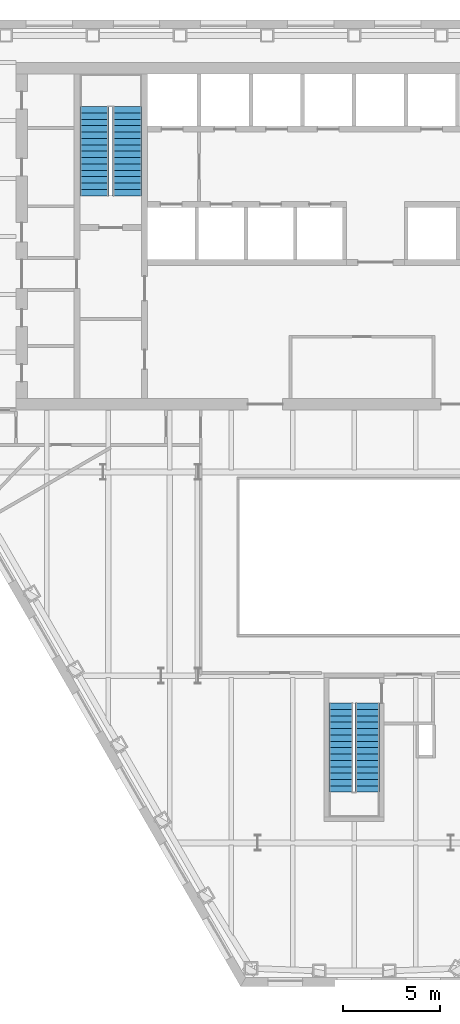
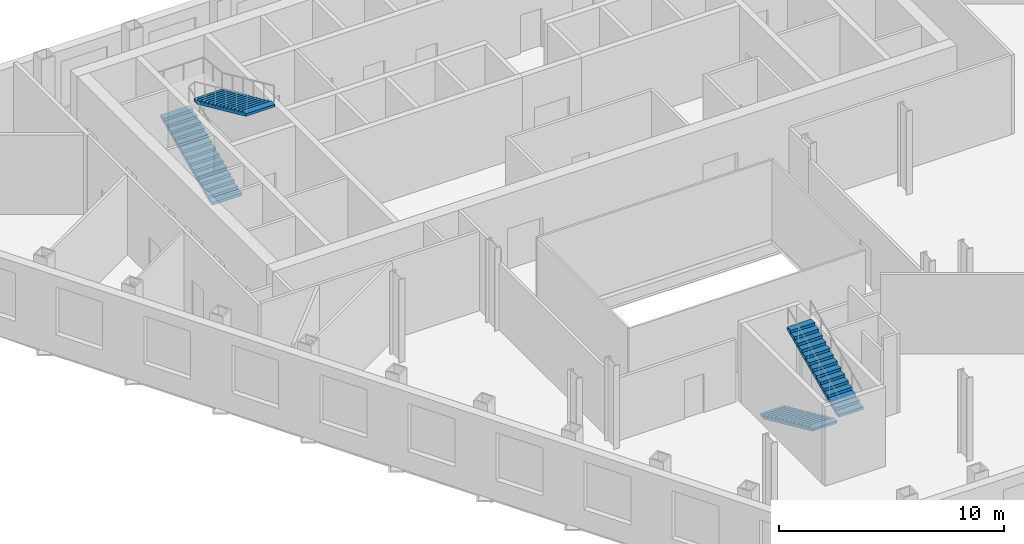
# One storey, part 9 of 11: 4 stair flights, 2 elements without a shape of their own.
"""IFC4 building model written with IfcOpenShell, lengths in metres."""

from ifc_helpers import new_model, si_unit, direction, frame, origin, place, context, subcontext, project, spatial, polygons, material, type_object, element, aggregate, save


model = new_model("IFC4")

# Units and contexts
model_context = context("Model", 3, precision=1e-05, world=origin(), true_north=direction((0.0, 1.0)))
body_context = subcontext(model_context, "Body", "Model", "MODEL_VIEW")
ifc_project = project(units=[si_unit("LENGTHUNIT", "METRE"), si_unit("AREAUNIT", "SQUARE_METRE"), si_unit("VOLUMEUNIT", "CUBIC_METRE"), si_unit("PLANEANGLEUNIT", "RADIAN"), si_unit("MASSUNIT", "GRAM", prefix="KILO")], contexts=[model_context])

# Site, building, storey
site_placement = place(None, origin())
site = spatial("IfcSite", under=ifc_project, at=site_placement, CompositionType="ELEMENT")
building_placement = place(site_placement, origin())
building = spatial("IfcBuilding", under=site, at=building_placement, Name="Njiva Tower", CompositionType="ELEMENT")
storey_placement = place(building_placement, frame((0.0, 0.0, 33.3)))
storey = spatial("IfcBuildingStorey", under=building, at=storey_placement, Name="L06", CompositionType="ELEMENT", Elevation=33.3)

# Stair, stair flights
ifc_material = material(Name="Concrete C40/50", Category="concrete")
stair_type_1 = type_object("IfcStairType", Name="ST1 Exit stair 1250", PredefinedType="HALF_TURN_STAIR", material=ifc_material)
stair_1_placement = place(storey_placement, origin())
stair_1 = element("IfcStair", 1, at=stair_1_placement, inside=storey, type_object=stair_type_1, Name="Stair C", PredefinedType="HALF_TURN_STAIR")
stair_flight_type_1 = type_object("IfcStairFlightType", Name="FL1 Stair flight 1250", PredefinedType="STRAIGHT", material=ifc_material)
stair_flight_1_placement = place(storey_placement, frame((-0.675, -15.16, 0.0), z_axis=(0.0, 0.0, 1.0), x_axis=(0.0, -1.0, 0.0)))
stair_flight_1 = element("IfcStairFlight", 2, at=stair_flight_1_placement, type_object=stair_flight_type_1, Name="ST-C flight 1", NumberOfRisers=15, NumberOfTreads=14, PredefinedType="STRAIGHT", RiserHeight=0.15, TreadLength=0.33, context=body_context, shape_type="Tessellation", body=[
    polygons([(0.0, 0.625, 0.0), (0.0, 0.3125, 0.0), (0.0, 0.0, 0.0), (0.0, -0.3125, 0.0), (0.0, -0.625, 0.0), (0.0, 0.625, 0.15), (0.0, 0.3125, 0.15), (0.0, 0.0, 0.15), (0.0, -0.3125, 0.15), (0.0, -0.625, 0.15), (0.33, 0.625, 0.15), (0.33, 0.3125, 0.15), (0.33, 0.0, 0.15), (0.33, -0.3125, 0.15), (0.33, -0.625, 0.15), (0.33, 0.625, 0.3), (0.33, 0.3125, 0.3), (0.33, 0.0, 0.3), (0.33, -0.3125, 0.3), (0.33, -0.625, 0.3), (0.66, 0.625, 0.3), (0.66, 0.3125, 0.3), (0.66, 0.0, 0.3), (0.66, -0.3125, 0.3), (0.66, -0.625, 0.3), (0.66, 0.625, 0.45), (0.66, 0.3125, 0.45), (0.66, 0.0, 0.45), (0.66, -0.3125, 0.45), (0.66, -0.625, 0.45), (0.99, 0.625, 0.45), (0.99, 0.3125, 0.45), (0.99, 0.0, 0.45), (0.99, -0.3125, 0.45), (0.99, -0.625, 0.45), (0.99, 0.625, 0.6), (0.99, 0.3125, 0.6), (0.99, 0.0, 0.6), (0.99, -0.3125, 0.6), (0.99, -0.625, 0.6), (1.32, 0.625, 0.6), (1.32, 0.3125, 0.6), (1.32, 0.0, 0.6), (1.32, -0.3125, 0.6), (1.32, -0.625, 0.6), (1.32, 0.625, 0.75), (1.32, 0.3125, 0.75), (1.32, 0.0, 0.75), (1.32, -0.3125, 0.75), (1.32, -0.625, 0.75), (1.65, 0.625, 0.75), (1.65, 0.3125, 0.75), (1.65, 0.0, 0.75), (1.65, -0.3125, 0.75), (1.65, -0.625, 0.75), (1.65, 0.625, 0.9), (1.65, 0.3125, 0.9), (1.65, 0.0, 0.9), (1.65, -0.3125, 0.9), (1.65, -0.625, 0.9), (1.98, 0.625, 0.9), (1.98, 0.3125, 0.9), (1.98, 0.0, 0.9), (1.98, -0.3125, 0.9), (1.98, -0.625, 0.9), (1.98, 0.625, 1.05), (1.98, 0.3125, 1.05), (1.98, 0.0, 1.05), (1.98, -0.3125, 1.05), (1.98, -0.625, 1.05), (2.31, 0.625, 1.05), (2.31, 0.3125, 1.05), (2.31, 0.0, 1.05), (2.31, -0.3125, 1.05), (2.31, -0.625, 1.05), (2.31, 0.625, 1.2), (2.31, 0.3125, 1.2), (2.31, 0.0, 1.2), (2.31, -0.3125, 1.2), (2.31, -0.625, 1.2), (2.64, 0.625, 1.2), (2.64, 0.3125, 1.2), (2.64, 0.0, 1.2), (2.64, -0.3125, 1.2), (2.64, -0.625, 1.2), (2.64, 0.625, 1.35), (2.64, 0.3125, 1.35), (2.64, 0.0, 1.35), (2.64, -0.3125, 1.35), (2.64, -0.625, 1.35), (2.97, 0.625, 1.35), (2.97, 0.3125, 1.35), (2.97, 0.0, 1.35), (2.97, -0.3125, 1.35), (2.97, -0.625, 1.35), (2.97, 0.625, 1.5), (2.97, 0.3125, 1.5), (2.97, 0.0, 1.5), (2.97, -0.3125, 1.5), (2.97, -0.625, 1.5), (3.3, 0.625, 1.5), (3.3, 0.3125, 1.5), (3.3, 0.0, 1.5), (3.3, -0.3125, 1.5), (3.3, -0.625, 1.5), (3.3, 0.625, 1.65), (3.3, 0.3125, 1.65), (3.3, 0.0, 1.65), (3.3, -0.3125, 1.65), (3.3, -0.625, 1.65), (3.63, 0.625, 1.65), (3.63, 0.3125, 1.65), (3.63, 0.0, 1.65), (3.63, -0.3125, 1.65), (3.63, -0.625, 1.65), (3.63, 0.625, 1.8), (3.63, 0.3125, 1.8), (3.63, 0.0, 1.8), (3.63, -0.3125, 1.8), (3.63, -0.625, 1.8), (3.96, 0.625, 1.8), (3.96, 0.3125, 1.8), (3.96, 0.0, 1.8), (3.96, -0.3125, 1.8), (3.96, -0.625, 1.8), (3.96, 0.625, 1.95), (3.96, 0.3125, 1.95), (3.96, 0.0, 1.95), (3.96, -0.3125, 1.95), (3.96, -0.625, 1.95), (4.29, 0.625, 1.95), (4.29, 0.3125, 1.95), (4.29, 0.0, 1.95), (4.29, -0.3125, 1.95), (4.29, -0.625, 1.95), (4.29, 0.625, 2.1), (4.29, 0.3125, 2.1), (4.29, 0.0, 2.1), (4.29, -0.3125, 2.1), (4.29, -0.625, 2.1), (4.62, 0.625, 2.1), (4.62, 0.3125, 2.1), (4.62, 0.0, 2.1), (4.62, -0.3125, 2.1), (4.62, -0.625, 2.1), (4.62, 0.625, 1.9682), (4.62, 0.3125, 1.9682), (4.62, 0.0, 1.9682), (4.62, -0.3125, 1.9682), (4.62, -0.625, 1.9682), (0.29, 0.625, 0.0), (0.29, 0.3125, 0.0), (0.29, 0.0, 0.0), (0.29, -0.3125, 0.0), (0.29, -0.625, 0.0)], [[[1, 6, 11, 16, 21, 26, 31, 36, 41, 46, 51, 56, 61, 66, 71, 76, 81, 86, 91, 96, 101, 106, 111, 116, 121, 126, 131, 136, 141, 146, 151]], [[155, 150, 145, 140, 135, 130, 125, 120, 115, 110, 105, 100, 95, 90, 85, 80, 75, 70, 65, 60, 55, 50, 45, 40, 35, 30, 25, 20, 15, 10, 5]], [[6, 1, 2, 7]], [[7, 2, 3, 8]], [[8, 3, 4, 9]], [[9, 4, 5, 10]], [[11, 6, 7, 12]], [[12, 7, 8, 13]], [[13, 8, 9, 14]], [[14, 9, 10, 15]], [[16, 11, 12, 17]], [[17, 12, 13, 18]], [[18, 13, 14, 19]], [[19, 14, 15, 20]], [[21, 16, 17, 22]], [[22, 17, 18, 23]], [[23, 18, 19, 24]], [[24, 19, 20, 25]], [[26, 21, 22, 27]], [[27, 22, 23, 28]], [[28, 23, 24, 29]], [[29, 24, 25, 30]], [[31, 26, 27, 32]], [[32, 27, 28, 33]], [[33, 28, 29, 34]], [[34, 29, 30, 35]], [[36, 31, 32, 37]], [[37, 32, 33, 38]], [[38, 33, 34, 39]], [[39, 34, 35, 40]], [[41, 36, 37, 42]], [[42, 37, 38, 43]], [[43, 38, 39, 44]], [[44, 39, 40, 45]], [[46, 41, 42, 47]], [[47, 42, 43, 48]], [[48, 43, 44, 49]], [[49, 44, 45, 50]], [[51, 46, 47, 52]], [[52, 47, 48, 53]], [[53, 48, 49, 54]], [[54, 49, 50, 55]], [[56, 51, 52, 57]], [[57, 52, 53, 58]], [[58, 53, 54, 59]], [[59, 54, 55, 60]], [[61, 56, 57, 62]], [[62, 57, 58, 63]], [[63, 58, 59, 64]], [[64, 59, 60, 65]], [[66, 61, 62, 67]], [[67, 62, 63, 68]], [[68, 63, 64, 69]], [[69, 64, 65, 70]], [[71, 66, 67, 72]], [[72, 67, 68, 73]], [[73, 68, 69, 74]], [[74, 69, 70, 75]], [[76, 71, 72, 77]], [[77, 72, 73, 78]], [[78, 73, 74, 79]], [[79, 74, 75, 80]], [[81, 76, 77, 82]], [[82, 77, 78, 83]], [[83, 78, 79, 84]], [[84, 79, 80, 85]], [[86, 81, 82, 87]], [[87, 82, 83, 88]], [[88, 83, 84, 89]], [[89, 84, 85, 90]], [[91, 86, 87, 92]], [[92, 87, 88, 93]], [[93, 88, 89, 94]], [[94, 89, 90, 95]], [[96, 91, 92, 97]], [[97, 92, 93, 98]], [[98, 93, 94, 99]], [[99, 94, 95, 100]], [[101, 96, 97, 102]], [[102, 97, 98, 103]], [[103, 98, 99, 104]], [[104, 99, 100, 105]], [[106, 101, 102, 107]], [[107, 102, 103, 108]], [[108, 103, 104, 109]], [[109, 104, 105, 110]], [[111, 106, 107, 112]], [[112, 107, 108, 113]], [[113, 108, 109, 114]], [[114, 109, 110, 115]], [[116, 111, 112, 117]], [[117, 112, 113, 118]], [[118, 113, 114, 119]], [[119, 114, 115, 120]], [[121, 116, 117, 122]], [[122, 117, 118, 123]], [[123, 118, 119, 124]], [[124, 119, 120, 125]], [[126, 121, 122, 127]], [[127, 122, 123, 128]], [[128, 123, 124, 129]], [[129, 124, 125, 130]], [[131, 126, 127, 132]], [[132, 127, 128, 133]], [[133, 128, 129, 134]], [[134, 129, 130, 135]], [[136, 131, 132, 137]], [[137, 132, 133, 138]], [[138, 133, 134, 139]], [[139, 134, 135, 140]], [[141, 136, 137, 142]], [[142, 137, 138, 143]], [[143, 138, 139, 144]], [[144, 139, 140, 145]], [[146, 141, 142, 147]], [[147, 142, 143, 148]], [[148, 143, 144, 149]], [[149, 144, 145, 150]], [[151, 146, 147, 152]], [[152, 147, 148, 153]], [[153, 148, 149, 154]], [[154, 149, 150, 155]], [[1, 151, 152, 2]], [[2, 152, 153, 3]], [[3, 153, 154, 4]], [[4, 154, 155, 5]]], closed=True),
])
stair_flight_2_placement = place(storey_placement, frame((0.675, -19.78, 2.25), z_axis=(0.0, 0.0, 1.0), x_axis=(0.0, 1.0, 0.0)))
stair_flight_2 = element("IfcStairFlight", 3, at=stair_flight_2_placement, type_object=stair_flight_type_1, Name="ST-C flight 2", NumberOfRisers=15, NumberOfTreads=14, PredefinedType="STRAIGHT", RiserHeight=0.15, TreadLength=0.33, context=body_context, shape_type="Tessellation", body=[
    polygons([(0.0, 0.625, 0.0), (0.0, 0.3125, 0.0), (0.0, 0.0, 0.0), (0.0, -0.3125, 0.0), (0.0, -0.625, 0.0), (0.0, 0.625, 0.15), (0.0, 0.3125, 0.15), (0.0, 0.0, 0.15), (0.0, -0.3125, 0.15), (0.0, -0.625, 0.15), (0.33, 0.625, 0.15), (0.33, 0.3125, 0.15), (0.33, 0.0, 0.15), (0.33, -0.3125, 0.15), (0.33, -0.625, 0.15), (0.33, 0.625, 0.3), (0.33, 0.3125, 0.3), (0.33, 0.0, 0.3), (0.33, -0.3125, 0.3), (0.33, -0.625, 0.3), (0.66, 0.625, 0.3), (0.66, 0.3125, 0.3), (0.66, 0.0, 0.3), (0.66, -0.3125, 0.3), (0.66, -0.625, 0.3), (0.66, 0.625, 0.45), (0.66, 0.3125, 0.45), (0.66, 0.0, 0.45), (0.66, -0.3125, 0.45), (0.66, -0.625, 0.45), (0.99, 0.625, 0.45), (0.99, 0.3125, 0.45), (0.99, 0.0, 0.45), (0.99, -0.3125, 0.45), (0.99, -0.625, 0.45), (0.99, 0.625, 0.6), (0.99, 0.3125, 0.6), (0.99, 0.0, 0.6), (0.99, -0.3125, 0.6), (0.99, -0.625, 0.6), (1.32, 0.625, 0.6), (1.32, 0.3125, 0.6), (1.32, 0.0, 0.6), (1.32, -0.3125, 0.6), (1.32, -0.625, 0.6), (1.32, 0.625, 0.75), (1.32, 0.3125, 0.75), (1.32, 0.0, 0.75), (1.32, -0.3125, 0.75), (1.32, -0.625, 0.75), (1.65, 0.625, 0.75), (1.65, 0.3125, 0.75), (1.65, 0.0, 0.75), (1.65, -0.3125, 0.75), (1.65, -0.625, 0.75), (1.65, 0.625, 0.9), (1.65, 0.3125, 0.9), (1.65, 0.0, 0.9), (1.65, -0.3125, 0.9), (1.65, -0.625, 0.9), (1.98, 0.625, 0.9), (1.98, 0.3125, 0.9), (1.98, 0.0, 0.9), (1.98, -0.3125, 0.9), (1.98, -0.625, 0.9), (1.98, 0.625, 1.05), (1.98, 0.3125, 1.05), (1.98, 0.0, 1.05), (1.98, -0.3125, 1.05), (1.98, -0.625, 1.05), (2.31, 0.625, 1.05), (2.31, 0.3125, 1.05), (2.31, 0.0, 1.05), (2.31, -0.3125, 1.05), (2.31, -0.625, 1.05), (2.31, 0.625, 1.2), (2.31, 0.3125, 1.2), (2.31, 0.0, 1.2), (2.31, -0.3125, 1.2), (2.31, -0.625, 1.2), (2.64, 0.625, 1.2), (2.64, 0.3125, 1.2), (2.64, 0.0, 1.2), (2.64, -0.3125, 1.2), (2.64, -0.625, 1.2), (2.64, 0.625, 1.35), (2.64, 0.3125, 1.35), (2.64, 0.0, 1.35), (2.64, -0.3125, 1.35), (2.64, -0.625, 1.35), (2.97, 0.625, 1.35), (2.97, 0.3125, 1.35), (2.97, 0.0, 1.35), (2.97, -0.3125, 1.35), (2.97, -0.625, 1.35), (2.97, 0.625, 1.5), (2.97, 0.3125, 1.5), (2.97, 0.0, 1.5), (2.97, -0.3125, 1.5), (2.97, -0.625, 1.5), (3.3, 0.625, 1.5), (3.3, 0.3125, 1.5), (3.3, 0.0, 1.5), (3.3, -0.3125, 1.5), (3.3, -0.625, 1.5), (3.3, 0.625, 1.65), (3.3, 0.3125, 1.65), (3.3, 0.0, 1.65), (3.3, -0.3125, 1.65), (3.3, -0.625, 1.65), (3.63, 0.625, 1.65), (3.63, 0.3125, 1.65), (3.63, 0.0, 1.65), (3.63, -0.3125, 1.65), (3.63, -0.625, 1.65), (3.63, 0.625, 1.8), (3.63, 0.3125, 1.8), (3.63, 0.0, 1.8), (3.63, -0.3125, 1.8), (3.63, -0.625, 1.8), (3.96, 0.625, 1.8), (3.96, 0.3125, 1.8), (3.96, 0.0, 1.8), (3.96, -0.3125, 1.8), (3.96, -0.625, 1.8), (3.96, 0.625, 1.95), (3.96, 0.3125, 1.95), (3.96, 0.0, 1.95), (3.96, -0.3125, 1.95), (3.96, -0.625, 1.95), (4.29, 0.625, 1.95), (4.29, 0.3125, 1.95), (4.29, 0.0, 1.95), (4.29, -0.3125, 1.95), (4.29, -0.625, 1.95), (4.29, 0.625, 2.1), (4.29, 0.3125, 2.1), (4.29, 0.0, 2.1), (4.29, -0.3125, 2.1), (4.29, -0.625, 2.1), (4.62, 0.625, 2.1), (4.62, 0.3125, 2.1), (4.62, 0.0, 2.1), (4.62, -0.3125, 2.1), (4.62, -0.625, 2.1), (4.62, 0.625, 1.9682), (4.62, 0.3125, 1.9682), (4.62, 0.0, 1.9682), (4.62, -0.3125, 1.9682), (4.62, -0.625, 1.9682), (0.29, 0.625, 0.0), (0.29, 0.3125, 0.0), (0.29, 0.0, 0.0), (0.29, -0.3125, 0.0), (0.29, -0.625, 0.0)], [[[1, 6, 11, 16, 21, 26, 31, 36, 41, 46, 51, 56, 61, 66, 71, 76, 81, 86, 91, 96, 101, 106, 111, 116, 121, 126, 131, 136, 141, 146, 151]], [[155, 150, 145, 140, 135, 130, 125, 120, 115, 110, 105, 100, 95, 90, 85, 80, 75, 70, 65, 60, 55, 50, 45, 40, 35, 30, 25, 20, 15, 10, 5]], [[6, 1, 2, 7]], [[7, 2, 3, 8]], [[8, 3, 4, 9]], [[9, 4, 5, 10]], [[11, 6, 7, 12]], [[12, 7, 8, 13]], [[13, 8, 9, 14]], [[14, 9, 10, 15]], [[16, 11, 12, 17]], [[17, 12, 13, 18]], [[18, 13, 14, 19]], [[19, 14, 15, 20]], [[21, 16, 17, 22]], [[22, 17, 18, 23]], [[23, 18, 19, 24]], [[24, 19, 20, 25]], [[26, 21, 22, 27]], [[27, 22, 23, 28]], [[28, 23, 24, 29]], [[29, 24, 25, 30]], [[31, 26, 27, 32]], [[32, 27, 28, 33]], [[33, 28, 29, 34]], [[34, 29, 30, 35]], [[36, 31, 32, 37]], [[37, 32, 33, 38]], [[38, 33, 34, 39]], [[39, 34, 35, 40]], [[41, 36, 37, 42]], [[42, 37, 38, 43]], [[43, 38, 39, 44]], [[44, 39, 40, 45]], [[46, 41, 42, 47]], [[47, 42, 43, 48]], [[48, 43, 44, 49]], [[49, 44, 45, 50]], [[51, 46, 47, 52]], [[52, 47, 48, 53]], [[53, 48, 49, 54]], [[54, 49, 50, 55]], [[56, 51, 52, 57]], [[57, 52, 53, 58]], [[58, 53, 54, 59]], [[59, 54, 55, 60]], [[61, 56, 57, 62]], [[62, 57, 58, 63]], [[63, 58, 59, 64]], [[64, 59, 60, 65]], [[66, 61, 62, 67]], [[67, 62, 63, 68]], [[68, 63, 64, 69]], [[69, 64, 65, 70]], [[71, 66, 67, 72]], [[72, 67, 68, 73]], [[73, 68, 69, 74]], [[74, 69, 70, 75]], [[76, 71, 72, 77]], [[77, 72, 73, 78]], [[78, 73, 74, 79]], [[79, 74, 75, 80]], [[81, 76, 77, 82]], [[82, 77, 78, 83]], [[83, 78, 79, 84]], [[84, 79, 80, 85]], [[86, 81, 82, 87]], [[87, 82, 83, 88]], [[88, 83, 84, 89]], [[89, 84, 85, 90]], [[91, 86, 87, 92]], [[92, 87, 88, 93]], [[93, 88, 89, 94]], [[94, 89, 90, 95]], [[96, 91, 92, 97]], [[97, 92, 93, 98]], [[98, 93, 94, 99]], [[99, 94, 95, 100]], [[101, 96, 97, 102]], [[102, 97, 98, 103]], [[103, 98, 99, 104]], [[104, 99, 100, 105]], [[106, 101, 102, 107]], [[107, 102, 103, 108]], [[108, 103, 104, 109]], [[109, 104, 105, 110]], [[111, 106, 107, 112]], [[112, 107, 108, 113]], [[113, 108, 109, 114]], [[114, 109, 110, 115]], [[116, 111, 112, 117]], [[117, 112, 113, 118]], [[118, 113, 114, 119]], [[119, 114, 115, 120]], [[121, 116, 117, 122]], [[122, 117, 118, 123]], [[123, 118, 119, 124]], [[124, 119, 120, 125]], [[126, 121, 122, 127]], [[127, 122, 123, 128]], [[128, 123, 124, 129]], [[129, 124, 125, 130]], [[131, 126, 127, 132]], [[132, 127, 128, 133]], [[133, 128, 129, 134]], [[134, 129, 130, 135]], [[136, 131, 132, 137]], [[137, 132, 133, 138]], [[138, 133, 134, 139]], [[139, 134, 135, 140]], [[141, 136, 137, 142]], [[142, 137, 138, 143]], [[143, 138, 139, 144]], [[144, 139, 140, 145]], [[146, 141, 142, 147]], [[147, 142, 143, 148]], [[148, 143, 144, 149]], [[149, 144, 145, 150]], [[151, 146, 147, 152]], [[152, 147, 148, 153]], [[153, 148, 149, 154]], [[154, 149, 150, 155]], [[1, 151, 152, 2]], [[2, 152, 153, 3]], [[3, 153, 154, 4]], [[4, 154, 155, 5]]], closed=True),
])
aggregate(stair_1, [stair_flight_1, stair_flight_2])

stair_type_2 = type_object("IfcStairType", Name="ST4 Exit stair 1500", PredefinedType="HALF_TURN_STAIR", material=ifc_material)
stair_2_placement = place(storey_placement, origin())
stair_2 = element("IfcStair", 4, at=stair_2_placement, inside=storey, type_object=stair_type_2, Name="Stair A", PredefinedType="HALF_TURN_STAIR")
stair_flight_type_2 = type_object("IfcStairFlightType", Name="FL4 Stair flight 1500", PredefinedType="STRAIGHT", material=ifc_material)
stair_flight_3_placement = place(storey_placement, frame((-13.45, 11.1, 0.0), z_axis=(0.0, 0.0, 1.0), x_axis=(0.0, 1.0, 0.0)))
stair_flight_3 = element("IfcStairFlight", 5, at=stair_flight_3_placement, type_object=stair_flight_type_2, Name="ST-A flight 1", NumberOfRisers=15, NumberOfTreads=14, PredefinedType="STRAIGHT", RiserHeight=0.15, TreadLength=0.33, context=body_context, shape_type="Tessellation", body=[
    polygons([(0.0, 0.75, 0.0), (0.0, 0.375, 0.0), (0.0, 0.0, 0.0), (0.0, -0.375, 0.0), (0.0, -0.75, 0.0), (0.0, 0.75, 0.15), (0.0, 0.375, 0.15), (0.0, 0.0, 0.15), (0.0, -0.375, 0.15), (0.0, -0.75, 0.15), (0.33, 0.75, 0.15), (0.33, 0.375, 0.15), (0.33, 0.0, 0.15), (0.33, -0.375, 0.15), (0.33, -0.75, 0.15), (0.33, 0.75, 0.3), (0.33, 0.375, 0.3), (0.33, 0.0, 0.3), (0.33, -0.375, 0.3), (0.33, -0.75, 0.3), (0.66, 0.75, 0.3), (0.66, 0.375, 0.3), (0.66, 0.0, 0.3), (0.66, -0.375, 0.3), (0.66, -0.75, 0.3), (0.66, 0.75, 0.45), (0.66, 0.375, 0.45), (0.66, 0.0, 0.45), (0.66, -0.375, 0.45), (0.66, -0.75, 0.45), (0.99, 0.75, 0.45), (0.99, 0.375, 0.45), (0.99, 0.0, 0.45), (0.99, -0.375, 0.45), (0.99, -0.75, 0.45), (0.99, 0.75, 0.6), (0.99, 0.375, 0.6), (0.99, 0.0, 0.6), (0.99, -0.375, 0.6), (0.99, -0.75, 0.6), (1.32, 0.75, 0.6), (1.32, 0.375, 0.6), (1.32, 0.0, 0.6), (1.32, -0.375, 0.6), (1.32, -0.75, 0.6), (1.32, 0.75, 0.75), (1.32, 0.375, 0.75), (1.32, 0.0, 0.75), (1.32, -0.375, 0.75), (1.32, -0.75, 0.75), (1.65, 0.75, 0.75), (1.65, 0.375, 0.75), (1.65, 0.0, 0.75), (1.65, -0.375, 0.75), (1.65, -0.75, 0.75), (1.65, 0.75, 0.9), (1.65, 0.375, 0.9), (1.65, 0.0, 0.9), (1.65, -0.375, 0.9), (1.65, -0.75, 0.9), (1.98, 0.75, 0.9), (1.98, 0.375, 0.9), (1.98, 0.0, 0.9), (1.98, -0.375, 0.9), (1.98, -0.75, 0.9), (1.98, 0.75, 1.05), (1.98, 0.375, 1.05), (1.98, 0.0, 1.05), (1.98, -0.375, 1.05), (1.98, -0.75, 1.05), (2.31, 0.75, 1.05), (2.31, 0.375, 1.05), (2.31, 0.0, 1.05), (2.31, -0.375, 1.05), (2.31, -0.75, 1.05), (2.31, 0.75, 1.2), (2.31, 0.375, 1.2), (2.31, 0.0, 1.2), (2.31, -0.375, 1.2), (2.31, -0.75, 1.2), (2.64, 0.75, 1.2), (2.64, 0.375, 1.2), (2.64, 0.0, 1.2), (2.64, -0.375, 1.2), (2.64, -0.75, 1.2), (2.64, 0.75, 1.35), (2.64, 0.375, 1.35), (2.64, 0.0, 1.35), (2.64, -0.375, 1.35), (2.64, -0.75, 1.35), (2.97, 0.75, 1.35), (2.97, 0.375, 1.35), (2.97, 0.0, 1.35), (2.97, -0.375, 1.35), (2.97, -0.75, 1.35), (2.97, 0.75, 1.5), (2.97, 0.375, 1.5), (2.97, 0.0, 1.5), (2.97, -0.375, 1.5), (2.97, -0.75, 1.5), (3.3, 0.75, 1.5), (3.3, 0.375, 1.5), (3.3, 0.0, 1.5), (3.3, -0.375, 1.5), (3.3, -0.75, 1.5), (3.3, 0.75, 1.65), (3.3, 0.375, 1.65), (3.3, 0.0, 1.65), (3.3, -0.375, 1.65), (3.3, -0.75, 1.65), (3.63, 0.75, 1.65), (3.63, 0.375, 1.65), (3.63, 0.0, 1.65), (3.63, -0.375, 1.65), (3.63, -0.75, 1.65), (3.63, 0.75, 1.8), (3.63, 0.375, 1.8), (3.63, 0.0, 1.8), (3.63, -0.375, 1.8), (3.63, -0.75, 1.8), (3.96, 0.75, 1.8), (3.96, 0.375, 1.8), (3.96, 0.0, 1.8), (3.96, -0.375, 1.8), (3.96, -0.75, 1.8), (3.96, 0.75, 1.95), (3.96, 0.375, 1.95), (3.96, 0.0, 1.95), (3.96, -0.375, 1.95), (3.96, -0.75, 1.95), (4.29, 0.75, 1.95), (4.29, 0.375, 1.95), (4.29, 0.0, 1.95), (4.29, -0.375, 1.95), (4.29, -0.75, 1.95), (4.29, 0.75, 2.1), (4.29, 0.375, 2.1), (4.29, 0.0, 2.1), (4.29, -0.375, 2.1), (4.29, -0.75, 2.1), (4.62, 0.75, 2.1), (4.62, 0.375, 2.1), (4.62, 0.0, 2.1), (4.62, -0.375, 2.1), (4.62, -0.75, 2.1), (4.62, 0.75, 1.9682), (4.62, 0.375, 1.9682), (4.62, 0.0, 1.9682), (4.62, -0.375, 1.9682), (4.62, -0.75, 1.9682), (0.29, 0.75, 0.0), (0.29, 0.375, 0.0), (0.29, 0.0, 0.0), (0.29, -0.375, 0.0), (0.29, -0.75, 0.0)], [[[1, 6, 11, 16, 21, 26, 31, 36, 41, 46, 51, 56, 61, 66, 71, 76, 81, 86, 91, 96, 101, 106, 111, 116, 121, 126, 131, 136, 141, 146, 151]], [[155, 150, 145, 140, 135, 130, 125, 120, 115, 110, 105, 100, 95, 90, 85, 80, 75, 70, 65, 60, 55, 50, 45, 40, 35, 30, 25, 20, 15, 10, 5]], [[6, 1, 2, 7]], [[7, 2, 3, 8]], [[8, 3, 4, 9]], [[9, 4, 5, 10]], [[11, 6, 7, 12]], [[12, 7, 8, 13]], [[13, 8, 9, 14]], [[14, 9, 10, 15]], [[16, 11, 12, 17]], [[17, 12, 13, 18]], [[18, 13, 14, 19]], [[19, 14, 15, 20]], [[21, 16, 17, 22]], [[22, 17, 18, 23]], [[23, 18, 19, 24]], [[24, 19, 20, 25]], [[26, 21, 22, 27]], [[27, 22, 23, 28]], [[28, 23, 24, 29]], [[29, 24, 25, 30]], [[31, 26, 27, 32]], [[32, 27, 28, 33]], [[33, 28, 29, 34]], [[34, 29, 30, 35]], [[36, 31, 32, 37]], [[37, 32, 33, 38]], [[38, 33, 34, 39]], [[39, 34, 35, 40]], [[41, 36, 37, 42]], [[42, 37, 38, 43]], [[43, 38, 39, 44]], [[44, 39, 40, 45]], [[46, 41, 42, 47]], [[47, 42, 43, 48]], [[48, 43, 44, 49]], [[49, 44, 45, 50]], [[51, 46, 47, 52]], [[52, 47, 48, 53]], [[53, 48, 49, 54]], [[54, 49, 50, 55]], [[56, 51, 52, 57]], [[57, 52, 53, 58]], [[58, 53, 54, 59]], [[59, 54, 55, 60]], [[61, 56, 57, 62]], [[62, 57, 58, 63]], [[63, 58, 59, 64]], [[64, 59, 60, 65]], [[66, 61, 62, 67]], [[67, 62, 63, 68]], [[68, 63, 64, 69]], [[69, 64, 65, 70]], [[71, 66, 67, 72]], [[72, 67, 68, 73]], [[73, 68, 69, 74]], [[74, 69, 70, 75]], [[76, 71, 72, 77]], [[77, 72, 73, 78]], [[78, 73, 74, 79]], [[79, 74, 75, 80]], [[81, 76, 77, 82]], [[82, 77, 78, 83]], [[83, 78, 79, 84]], [[84, 79, 80, 85]], [[86, 81, 82, 87]], [[87, 82, 83, 88]], [[88, 83, 84, 89]], [[89, 84, 85, 90]], [[91, 86, 87, 92]], [[92, 87, 88, 93]], [[93, 88, 89, 94]], [[94, 89, 90, 95]], [[96, 91, 92, 97]], [[97, 92, 93, 98]], [[98, 93, 94, 99]], [[99, 94, 95, 100]], [[101, 96, 97, 102]], [[102, 97, 98, 103]], [[103, 98, 99, 104]], [[104, 99, 100, 105]], [[106, 101, 102, 107]], [[107, 102, 103, 108]], [[108, 103, 104, 109]], [[109, 104, 105, 110]], [[111, 106, 107, 112]], [[112, 107, 108, 113]], [[113, 108, 109, 114]], [[114, 109, 110, 115]], [[116, 111, 112, 117]], [[117, 112, 113, 118]], [[118, 113, 114, 119]], [[119, 114, 115, 120]], [[121, 116, 117, 122]], [[122, 117, 118, 123]], [[123, 118, 119, 124]], [[124, 119, 120, 125]], [[126, 121, 122, 127]], [[127, 122, 123, 128]], [[128, 123, 124, 129]], [[129, 124, 125, 130]], [[131, 126, 127, 132]], [[132, 127, 128, 133]], [[133, 128, 129, 134]], [[134, 129, 130, 135]], [[136, 131, 132, 137]], [[137, 132, 133, 138]], [[138, 133, 134, 139]], [[139, 134, 135, 140]], [[141, 136, 137, 142]], [[142, 137, 138, 143]], [[143, 138, 139, 144]], [[144, 139, 140, 145]], [[146, 141, 142, 147]], [[147, 142, 143, 148]], [[148, 143, 144, 149]], [[149, 144, 145, 150]], [[151, 146, 147, 152]], [[152, 147, 148, 153]], [[153, 148, 149, 154]], [[154, 149, 150, 155]], [[1, 151, 152, 2]], [[2, 152, 153, 3]], [[3, 153, 154, 4]], [[4, 154, 155, 5]]], closed=True),
])
stair_flight_4_placement = place(storey_placement, frame((-11.75, 15.72, 2.25), z_axis=(0.0, 0.0, 1.0), x_axis=(0.0, -1.0, 0.0)))
stair_flight_4 = element("IfcStairFlight", 6, at=stair_flight_4_placement, type_object=stair_flight_type_2, Name="ST-A flight 2", NumberOfRisers=15, NumberOfTreads=14, PredefinedType="STRAIGHT", RiserHeight=0.15, TreadLength=0.33, context=body_context, shape_type="Tessellation", body=[
    polygons([(0.0, 0.75, 0.0), (0.0, 0.375, 0.0), (0.0, 0.0, 0.0), (0.0, -0.375, 0.0), (0.0, -0.75, 0.0), (0.0, 0.75, 0.15), (0.0, 0.375, 0.15), (0.0, 0.0, 0.15), (0.0, -0.375, 0.15), (0.0, -0.75, 0.15), (0.33, 0.75, 0.15), (0.33, 0.375, 0.15), (0.33, 0.0, 0.15), (0.33, -0.375, 0.15), (0.33, -0.75, 0.15), (0.33, 0.75, 0.3), (0.33, 0.375, 0.3), (0.33, 0.0, 0.3), (0.33, -0.375, 0.3), (0.33, -0.75, 0.3), (0.66, 0.75, 0.3), (0.66, 0.375, 0.3), (0.66, 0.0, 0.3), (0.66, -0.375, 0.3), (0.66, -0.75, 0.3), (0.66, 0.75, 0.45), (0.66, 0.375, 0.45), (0.66, 0.0, 0.45), (0.66, -0.375, 0.45), (0.66, -0.75, 0.45), (0.99, 0.75, 0.45), (0.99, 0.375, 0.45), (0.99, 0.0, 0.45), (0.99, -0.375, 0.45), (0.99, -0.75, 0.45), (0.99, 0.75, 0.6), (0.99, 0.375, 0.6), (0.99, 0.0, 0.6), (0.99, -0.375, 0.6), (0.99, -0.75, 0.6), (1.32, 0.75, 0.6), (1.32, 0.375, 0.6), (1.32, 0.0, 0.6), (1.32, -0.375, 0.6), (1.32, -0.75, 0.6), (1.32, 0.75, 0.75), (1.32, 0.375, 0.75), (1.32, 0.0, 0.75), (1.32, -0.375, 0.75), (1.32, -0.75, 0.75), (1.65, 0.75, 0.75), (1.65, 0.375, 0.75), (1.65, 0.0, 0.75), (1.65, -0.375, 0.75), (1.65, -0.75, 0.75), (1.65, 0.75, 0.9), (1.65, 0.375, 0.9), (1.65, 0.0, 0.9), (1.65, -0.375, 0.9), (1.65, -0.75, 0.9), (1.98, 0.75, 0.9), (1.98, 0.375, 0.9), (1.98, 0.0, 0.9), (1.98, -0.375, 0.9), (1.98, -0.75, 0.9), (1.98, 0.75, 1.05), (1.98, 0.375, 1.05), (1.98, 0.0, 1.05), (1.98, -0.375, 1.05), (1.98, -0.75, 1.05), (2.31, 0.75, 1.05), (2.31, 0.375, 1.05), (2.31, 0.0, 1.05), (2.31, -0.375, 1.05), (2.31, -0.75, 1.05), (2.31, 0.75, 1.2), (2.31, 0.375, 1.2), (2.31, 0.0, 1.2), (2.31, -0.375, 1.2), (2.31, -0.75, 1.2), (2.64, 0.75, 1.2), (2.64, 0.375, 1.2), (2.64, 0.0, 1.2), (2.64, -0.375, 1.2), (2.64, -0.75, 1.2), (2.64, 0.75, 1.35), (2.64, 0.375, 1.35), (2.64, 0.0, 1.35), (2.64, -0.375, 1.35), (2.64, -0.75, 1.35), (2.97, 0.75, 1.35), (2.97, 0.375, 1.35), (2.97, 0.0, 1.35), (2.97, -0.375, 1.35), (2.97, -0.75, 1.35), (2.97, 0.75, 1.5), (2.97, 0.375, 1.5), (2.97, 0.0, 1.5), (2.97, -0.375, 1.5), (2.97, -0.75, 1.5), (3.3, 0.75, 1.5), (3.3, 0.375, 1.5), (3.3, 0.0, 1.5), (3.3, -0.375, 1.5), (3.3, -0.75, 1.5), (3.3, 0.75, 1.65), (3.3, 0.375, 1.65), (3.3, 0.0, 1.65), (3.3, -0.375, 1.65), (3.3, -0.75, 1.65), (3.63, 0.75, 1.65), (3.63, 0.375, 1.65), (3.63, 0.0, 1.65), (3.63, -0.375, 1.65), (3.63, -0.75, 1.65), (3.63, 0.75, 1.8), (3.63, 0.375, 1.8), (3.63, 0.0, 1.8), (3.63, -0.375, 1.8), (3.63, -0.75, 1.8), (3.96, 0.75, 1.8), (3.96, 0.375, 1.8), (3.96, 0.0, 1.8), (3.96, -0.375, 1.8), (3.96, -0.75, 1.8), (3.96, 0.75, 1.95), (3.96, 0.375, 1.95), (3.96, 0.0, 1.95), (3.96, -0.375, 1.95), (3.96, -0.75, 1.95), (4.29, 0.75, 1.95), (4.29, 0.375, 1.95), (4.29, 0.0, 1.95), (4.29, -0.375, 1.95), (4.29, -0.75, 1.95), (4.29, 0.75, 2.1), (4.29, 0.375, 2.1), (4.29, 0.0, 2.1), (4.29, -0.375, 2.1), (4.29, -0.75, 2.1), (4.62, 0.75, 2.1), (4.62, 0.375, 2.1), (4.62, 0.0, 2.1), (4.62, -0.375, 2.1), (4.62, -0.75, 2.1), (4.62, 0.75, 1.9682), (4.62, 0.375, 1.9682), (4.62, 0.0, 1.9682), (4.62, -0.375, 1.9682), (4.62, -0.75, 1.9682), (0.29, 0.75, 0.0), (0.29, 0.375, 0.0), (0.29, 0.0, 0.0), (0.29, -0.375, 0.0), (0.29, -0.75, 0.0)], [[[1, 6, 11, 16, 21, 26, 31, 36, 41, 46, 51, 56, 61, 66, 71, 76, 81, 86, 91, 96, 101, 106, 111, 116, 121, 126, 131, 136, 141, 146, 151]], [[155, 150, 145, 140, 135, 130, 125, 120, 115, 110, 105, 100, 95, 90, 85, 80, 75, 70, 65, 60, 55, 50, 45, 40, 35, 30, 25, 20, 15, 10, 5]], [[6, 1, 2, 7]], [[7, 2, 3, 8]], [[8, 3, 4, 9]], [[9, 4, 5, 10]], [[11, 6, 7, 12]], [[12, 7, 8, 13]], [[13, 8, 9, 14]], [[14, 9, 10, 15]], [[16, 11, 12, 17]], [[17, 12, 13, 18]], [[18, 13, 14, 19]], [[19, 14, 15, 20]], [[21, 16, 17, 22]], [[22, 17, 18, 23]], [[23, 18, 19, 24]], [[24, 19, 20, 25]], [[26, 21, 22, 27]], [[27, 22, 23, 28]], [[28, 23, 24, 29]], [[29, 24, 25, 30]], [[31, 26, 27, 32]], [[32, 27, 28, 33]], [[33, 28, 29, 34]], [[34, 29, 30, 35]], [[36, 31, 32, 37]], [[37, 32, 33, 38]], [[38, 33, 34, 39]], [[39, 34, 35, 40]], [[41, 36, 37, 42]], [[42, 37, 38, 43]], [[43, 38, 39, 44]], [[44, 39, 40, 45]], [[46, 41, 42, 47]], [[47, 42, 43, 48]], [[48, 43, 44, 49]], [[49, 44, 45, 50]], [[51, 46, 47, 52]], [[52, 47, 48, 53]], [[53, 48, 49, 54]], [[54, 49, 50, 55]], [[56, 51, 52, 57]], [[57, 52, 53, 58]], [[58, 53, 54, 59]], [[59, 54, 55, 60]], [[61, 56, 57, 62]], [[62, 57, 58, 63]], [[63, 58, 59, 64]], [[64, 59, 60, 65]], [[66, 61, 62, 67]], [[67, 62, 63, 68]], [[68, 63, 64, 69]], [[69, 64, 65, 70]], [[71, 66, 67, 72]], [[72, 67, 68, 73]], [[73, 68, 69, 74]], [[74, 69, 70, 75]], [[76, 71, 72, 77]], [[77, 72, 73, 78]], [[78, 73, 74, 79]], [[79, 74, 75, 80]], [[81, 76, 77, 82]], [[82, 77, 78, 83]], [[83, 78, 79, 84]], [[84, 79, 80, 85]], [[86, 81, 82, 87]], [[87, 82, 83, 88]], [[88, 83, 84, 89]], [[89, 84, 85, 90]], [[91, 86, 87, 92]], [[92, 87, 88, 93]], [[93, 88, 89, 94]], [[94, 89, 90, 95]], [[96, 91, 92, 97]], [[97, 92, 93, 98]], [[98, 93, 94, 99]], [[99, 94, 95, 100]], [[101, 96, 97, 102]], [[102, 97, 98, 103]], [[103, 98, 99, 104]], [[104, 99, 100, 105]], [[106, 101, 102, 107]], [[107, 102, 103, 108]], [[108, 103, 104, 109]], [[109, 104, 105, 110]], [[111, 106, 107, 112]], [[112, 107, 108, 113]], [[113, 108, 109, 114]], [[114, 109, 110, 115]], [[116, 111, 112, 117]], [[117, 112, 113, 118]], [[118, 113, 114, 119]], [[119, 114, 115, 120]], [[121, 116, 117, 122]], [[122, 117, 118, 123]], [[123, 118, 119, 124]], [[124, 119, 120, 125]], [[126, 121, 122, 127]], [[127, 122, 123, 128]], [[128, 123, 124, 129]], [[129, 124, 125, 130]], [[131, 126, 127, 132]], [[132, 127, 128, 133]], [[133, 128, 129, 134]], [[134, 129, 130, 135]], [[136, 131, 132, 137]], [[137, 132, 133, 138]], [[138, 133, 134, 139]], [[139, 134, 135, 140]], [[141, 136, 137, 142]], [[142, 137, 138, 143]], [[143, 138, 139, 144]], [[144, 139, 140, 145]], [[146, 141, 142, 147]], [[147, 142, 143, 148]], [[148, 143, 144, 149]], [[149, 144, 145, 150]], [[151, 146, 147, 152]], [[152, 147, 148, 153]], [[153, 148, 149, 154]], [[154, 149, 150, 155]], [[1, 151, 152, 2]], [[2, 152, 153, 3]], [[3, 153, 154, 4]], [[4, 154, 155, 5]]], closed=True),
])
aggregate(stair_2, [stair_flight_3, stair_flight_4])

save(model, "model.ifc")
